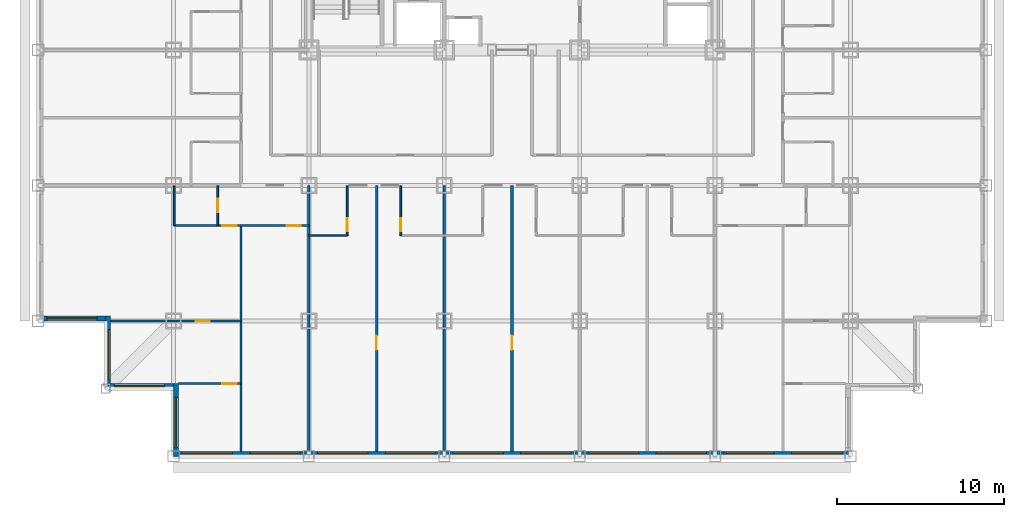
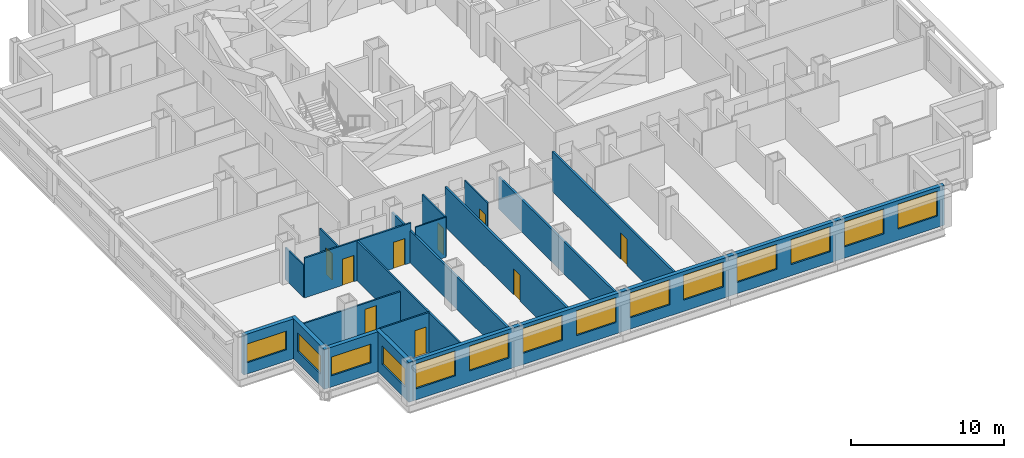
# One storey, part 3 of 11: 18 walls, 14 windows, 9 doors, 23 openings.
"""IFC4 building model written with IfcOpenShell, lengths in metres."""

from ifc_helpers import new_model, si_unit, direction, frame, frame_2d, origin, place, context, subcontext, project, spatial, rectangle, extrude, material, layer, layer_set, type_object, element, fill, save


model = new_model("IFC4")

# Units and contexts
model_context = context("Model", 3, precision=1e-05, world=origin(), true_north=direction((0.0, 1.0)))
body_context = subcontext(model_context, "Body", "Model", "MODEL_VIEW")
ifc_project = project(units=[si_unit("LENGTHUNIT", "METRE"), si_unit("AREAUNIT", "SQUARE_METRE"), si_unit("VOLUMEUNIT", "CUBIC_METRE"), si_unit("PLANEANGLEUNIT", "RADIAN"), si_unit("MASSUNIT", "GRAM", prefix="KILO")], contexts=[model_context])

# Site, building, storey
site_placement = place(None, origin())
site = spatial("IfcSite", under=ifc_project, at=site_placement, CompositionType="ELEMENT")
building_placement = place(site_placement, origin())
building = spatial("IfcBuilding", under=site, at=building_placement, Name="Kopane Lantern Tower", CompositionType="ELEMENT")
storey_placement = place(building_placement, frame((0.0, 0.0, 33.0)))
storey = spatial("IfcBuildingStorey", under=building, at=storey_placement, Name="L06", CompositionType="ELEMENT", Elevation=33.0)

# Wall, openings, doors
ifc_material_1 = material(Name="Gypsum board on steel studs", Category="steel")
ifc_layer_1 = layer(ifc_material_1, 0.1201171875)
ifc_layer_set_1 = layer_set([ifc_layer_1], Name="APARTMENT INTERNAL WALL 120")
wall_type_1 = type_object("IfcWallType", Name="APARTMENT INTERNAL WALL 120", PredefinedType="PARTITIONING", material=ifc_layer_set_1)
wall_1_placement = place(storey_placement, frame((8.14990234375, 13.800048828125, 0.0), z_axis=(0.0, 0.0, 1.0), x_axis=(1.0, 0.0, 0.0)))
wall_1 = element("IfcWall", 1, at=wall_1_placement, inside=storey, type_object=wall_type_1, Name="Apartment Internal Wall 120 L06", PredefinedType="PARTITIONING", context=body_context, shape_type="SweptSolid", body=[
    extrude(rectangle(XDim=8.050048828125, YDim=0.1201171875, at=frame_2d((4.02490234375, 0.0))), origin(), (0.0, 0.0, 1.0), 3.18994140625),
])
opening_1_placement = place(wall_1_placement, frame((6.72509765625, 0.0, 0.0)))
opening_1 = element("IfcOpeningElement", 2, at=opening_1_placement, cuts=wall_1, Name="Opening L06-060", PredefinedType="OPENING", context=body_context, shape_type="SweptSolid", body=[
    extrude(rectangle(XDim=0.85009765625, YDim=2.10009765625, at=frame_2d((0.425048828125, 1.050048828125))), frame((0.0, 0.070068359375, 0.0), z_axis=(0.0, -1.0, 0.0), x_axis=(1.0, 0.0, 0.0)), (0.0, 0.0, 1.0), 0.14013671875),
])
opening_2_placement = place(wall_1_placement, frame((2.875, 0.0, 0.0)))
opening_2 = element("IfcOpeningElement", 3, at=opening_2_placement, cuts=wall_1, Name="Opening L06-062", PredefinedType="OPENING", context=body_context, shape_type="SweptSolid", body=[
    extrude(rectangle(XDim=0.85009765625, YDim=2.10009765625, at=frame_2d((0.425048828125, 1.050048828125))), frame((0.0, 0.070068359375, 0.0), z_axis=(0.0, -1.0, 0.0), x_axis=(1.0, 0.0, 0.0)), (0.0, 0.0, 1.0), 0.14013671875),
])
ifc_material_2 = material(Name="Timber door set", Category="wood")
door_type_1 = type_object("IfcDoorType", Name="DOOR D4 850x2100", OperationType="SINGLE_SWING_LEFT", PredefinedType="DOOR", material=ifc_material_2)
door_1_placement = place(opening_1_placement, origin())
door_1 = element("IfcDoor", 4, at=door_1_placement, inside=storey, type_object=door_type_1, Name="Door L06-060", OperationType="SINGLE_SWING_RIGHT", OverallHeight=2.10009765625, OverallWidth=0.85009765625, PredefinedType="DOOR", context=body_context, shape_type="SweptSolid", body=[
    extrude(rectangle(XDim=0.85009765625, YDim=2.10009765625, at=frame_2d((0.425048828125, 1.050048828125))), frame((0.0, 0.02490234375, 0.0), z_axis=(0.0, -1.0, 0.0), x_axis=(1.0, 0.0, 0.0)), (0.0, 0.0, 1.0), 0.050048828125),
])
fill(opening_1, door_1)
door_2_placement = place(opening_2_placement, origin())
door_2 = element("IfcDoor", 5, at=door_2_placement, inside=storey, type_object=door_type_1, Name="Door L06-062", OperationType="SINGLE_SWING_LEFT", OverallHeight=2.10009765625, OverallWidth=0.85009765625, PredefinedType="DOOR", context=body_context, shape_type="SweptSolid", body=[
    extrude(rectangle(XDim=0.85009765625, YDim=2.10009765625, at=frame_2d((0.425048828125, 1.050048828125))), frame((0.0, 0.02490234375, 0.0), z_axis=(0.0, -1.0, 0.0), x_axis=(1.0, 0.0, 0.0)), (0.0, 0.0, 1.0), 0.050048828125),
])
fill(opening_2, door_2)

# Wall
wall_2_placement = place(storey_placement, frame((12.14990234375, 13.800048828125, 0.0), z_axis=(0.0, 0.0, 1.0), x_axis=(0.0, -1.0, 0.0)))
element("IfcWall", 6, at=wall_2_placement, inside=storey, type_object=wall_type_1, Name="Apartment Internal Wall 120 L06", PredefinedType="PARTITIONING", context=body_context, shape_type="SweptSolid", body=[
    extrude(rectangle(XDim=13.5, YDim=0.1201171875, at=frame_2d((6.75, 0.0))), origin(), (0.0, 0.0, 1.0), 3.18994140625),
])

# Wall, opening, door
wall_3_placement = place(storey_placement, frame((12.14990234375, 8.10009765625, 0.0), z_axis=(0.0, 0.0, 1.0), x_axis=(-1.0, 0.0, 0.0)))
wall_3 = element("IfcWall", 7, at=wall_3_placement, inside=storey, type_object=wall_type_1, Name="Apartment Internal Wall 120 L06", PredefinedType="PARTITIONING", context=body_context, shape_type="SweptSolid", body=[
    extrude(rectangle(XDim=7.7998046875, YDim=0.1201171875, at=frame_2d((3.89990234375, 0.0))), origin(), (0.0, 0.0, 1.0), 2.577880859375),
])
opening_3_placement = place(wall_3_placement, frame((1.875, 0.0, 0.0)))
opening_3 = element("IfcOpeningElement", 8, at=opening_3_placement, cuts=wall_3, Name="Opening L06-063", PredefinedType="OPENING", context=body_context, shape_type="SweptSolid", body=[
    extrude(rectangle(XDim=0.85009765625, YDim=2.10009765625, at=frame_2d((0.425048828125, 1.050048828125))), frame((0.0, 0.070068359375, 0.0), z_axis=(0.0, -1.0, 0.0), x_axis=(1.0, 0.0, 0.0)), (0.0, 0.0, 1.0), 0.14013671875),
])
door_3_placement = place(opening_3_placement, origin())
door_3 = element("IfcDoor", 9, at=door_3_placement, inside=storey, type_object=door_type_1, Name="Door L06-063", OperationType="SINGLE_SWING_LEFT", OverallHeight=2.10009765625, OverallWidth=0.85009765625, PredefinedType="DOOR", context=body_context, shape_type="SweptSolid", body=[
    extrude(rectangle(XDim=0.85009765625, YDim=2.10009765625, at=frame_2d((0.425048828125, 1.050048828125))), frame((0.0, 0.02490234375, 0.0), z_axis=(0.0, -1.0, 0.0), x_axis=(1.0, 0.0, 0.0)), (0.0, 0.0, 1.0), 0.050048828125),
])
fill(opening_3, door_3)

wall_4_placement = place(storey_placement, frame((8.389892578125, 4.35009765625, 0.0), z_axis=(0.0, 0.0, 1.0), x_axis=(1.0, 0.0, 0.0)))
wall_4 = element("IfcWall", 10, at=wall_4_placement, inside=storey, type_object=wall_type_1, Name="Apartment Internal Wall 120 L06", PredefinedType="PARTITIONING", context=body_context, shape_type="SweptSolid", body=[
    extrude(rectangle(XDim=3.760009765625, YDim=0.1201171875, at=frame_2d((1.8798828125, 0.0))), origin(), (0.0, 0.0, 1.0), 3.18994140625),
])
opening_4_placement = place(wall_4_placement, frame((2.635009765625, 0.0, 0.0)))
opening_4 = element("IfcOpeningElement", 11, at=opening_4_placement, cuts=wall_4, Name="Opening L06-075", PredefinedType="OPENING", context=body_context, shape_type="SweptSolid", body=[
    extrude(rectangle(XDim=0.85009765625, YDim=2.10009765625, at=frame_2d((0.425048828125, 1.050048828125))), frame((0.0, 0.070068359375, 0.0), z_axis=(0.0, -1.0, 0.0), x_axis=(1.0, 0.0, 0.0)), (0.0, 0.0, 1.0), 0.14013671875),
])
door_4_placement = place(opening_4_placement, origin())
door_4 = element("IfcDoor", 12, at=door_4_placement, inside=storey, type_object=door_type_1, Name="Door L06-075", OperationType="SINGLE_SWING_RIGHT", OverallHeight=2.10009765625, OverallWidth=0.85009765625, PredefinedType="DOOR", context=body_context, shape_type="SweptSolid", body=[
    extrude(rectangle(XDim=0.85009765625, YDim=2.10009765625, at=frame_2d((0.425048828125, 1.050048828125))), frame((0.0, 0.02490234375, 0.0), z_axis=(0.0, -1.0, 0.0), x_axis=(1.0, 0.0, 0.0)), (0.0, 0.0, 1.0), 0.050048828125),
])
fill(opening_4, door_4)

# Wall
ifc_material_3 = material(Name="Moisture-resistant board on steel studs", Category="steel")
ifc_layer_2 = layer(ifc_material_3, 0.10009765625)
ifc_layer_set_2 = layer_set([ifc_layer_2], Name="BATHROOM WALL 100")
wall_type_2 = type_object("IfcWallType", Name="BATHROOM WALL 100", PredefinedType="PARTITIONING", material=ifc_layer_set_2)
wall_5_placement = place(storey_placement, frame((16.199951171875, 13.199951171875, 0.0), z_axis=(0.0, 0.0, 1.0), x_axis=(1.0, 0.0, 0.0)))
element("IfcWall", 13, at=wall_5_placement, inside=storey, type_object=wall_type_2, Name="Bathroom Wall 100 L06", PredefinedType="PARTITIONING", context=body_context, shape_type="SweptSolid", body=[
    extrude(rectangle(XDim=2.300048828125, YDim=0.10009765625, at=frame_2d((1.14990234375, 0.0))), origin(), (0.0, 0.0, 1.0), 3.18994140625),
])

# Wall, opening, door
wall_6_placement = place(storey_placement, frame((18.5, 16.199951171875, 0.0), z_axis=(0.0, 0.0, 1.0), x_axis=(0.0, -1.0, 0.0)))
wall_6 = element("IfcWall", 14, at=wall_6_placement, inside=storey, type_object=wall_type_2, Name="Bathroom Wall 100 L06", PredefinedType="PARTITIONING", context=body_context, shape_type="SweptSolid", body=[
    extrude(rectangle(XDim=3.0, YDim=0.10009765625, at=frame_2d((1.5, 0.0))), origin(), (0.0, 0.0, 1.0), 3.18994140625),
])
opening_5_placement = place(wall_6_placement, frame((1.949951171875, 0.0, 0.0)))
opening_5 = element("IfcOpeningElement", 15, at=opening_5_placement, cuts=wall_6, Name="Opening L06-009", PredefinedType="OPENING", context=body_context, shape_type="SweptSolid", body=[
    extrude(rectangle(XDim=0.800048828125, YDim=2.10009765625, at=frame_2d((0.39990234375, 1.050048828125))), frame((0.0, 0.06005859375, 0.0), z_axis=(0.0, -1.0, 0.0), x_axis=(1.0, 0.0, 0.0)), (0.0, 0.0, 1.0), 0.1201171875),
])
ifc_material_4 = material(Name="Timber door set", Category="wood")
door_type_2 = type_object("IfcDoorType", Name="DOOR D2 800x2100", OperationType="SINGLE_SWING_LEFT", PredefinedType="DOOR", material=ifc_material_4)
door_5_placement = place(opening_5_placement, origin())
door_5 = element("IfcDoor", 16, at=door_5_placement, inside=storey, type_object=door_type_2, Name="Door L06-009", OperationType="SINGLE_SWING_LEFT", OverallHeight=2.10009765625, OverallWidth=0.800048828125, PredefinedType="DOOR", context=body_context, shape_type="SweptSolid", body=[
    extrude(rectangle(XDim=0.800048828125, YDim=2.10009765625, at=frame_2d((0.39990234375, 1.050048828125))), frame((0.0, 0.02490234375, 0.0), z_axis=(0.0, -1.0, 0.0), x_axis=(1.0, 0.0, 0.0)), (0.0, 0.0, 1.0), 0.050048828125),
])
fill(opening_5, door_5)

wall_7_placement = place(storey_placement, frame((21.699951171875, 16.199951171875, 0.0), z_axis=(0.0, 0.0, 1.0), x_axis=(0.0, -1.0, 0.0)))
wall_7 = element("IfcWall", 17, at=wall_7_placement, inside=storey, type_object=wall_type_2, Name="Bathroom Wall 100 L06", PredefinedType="PARTITIONING", context=body_context, shape_type="SweptSolid", body=[
    extrude(rectangle(XDim=3.0, YDim=0.10009765625, at=frame_2d((1.5, 0.0))), origin(), (0.0, 0.0, 1.0), 3.18994140625),
])
opening_6_placement = place(wall_7_placement, frame((1.949951171875, 0.0, 0.0)))
opening_6 = element("IfcOpeningElement", 18, at=opening_6_placement, cuts=wall_7, Name="Opening L06-011", PredefinedType="OPENING", context=body_context, shape_type="SweptSolid", body=[
    extrude(rectangle(XDim=0.800048828125, YDim=2.10009765625, at=frame_2d((0.39990234375, 1.050048828125))), frame((0.0, 0.06005859375, 0.0), z_axis=(0.0, -1.0, 0.0), x_axis=(1.0, 0.0, 0.0)), (0.0, 0.0, 1.0), 0.1201171875),
])
door_6_placement = place(opening_6_placement, origin())
door_6 = element("IfcDoor", 19, at=door_6_placement, inside=storey, type_object=door_type_2, Name="Door L06-011", OperationType="SINGLE_SWING_RIGHT", OverallHeight=2.10009765625, OverallWidth=0.800048828125, PredefinedType="DOOR", context=body_context, shape_type="SweptSolid", body=[
    extrude(rectangle(XDim=0.800048828125, YDim=2.10009765625, at=frame_2d((0.39990234375, 1.050048828125))), frame((0.0, 0.02490234375, 0.0), z_axis=(0.0, -1.0, 0.0), x_axis=(1.0, 0.0, 0.0)), (0.0, 0.0, 1.0), 0.050048828125),
])
fill(opening_6, door_6)

wall_8_placement = place(storey_placement, frame((10.75, 16.199951171875, 0.0), z_axis=(0.0, 0.0, 1.0), x_axis=(0.0, -1.0, 0.0)))
wall_8 = element("IfcWall", 20, at=wall_8_placement, inside=storey, type_object=wall_type_2, Name="Bathroom Wall 100 L06", PredefinedType="PARTITIONING", context=body_context, shape_type="SweptSolid", body=[
    extrude(rectangle(XDim=2.39990234375, YDim=0.10009765625, at=frame_2d((1.199951171875, 0.0))), origin(), (0.0, 0.0, 1.0), 3.18994140625),
])
opening_7_placement = place(wall_8_placement, frame((0.800048828125, 0.0, 0.0)))
opening_7 = element("IfcOpeningElement", 21, at=opening_7_placement, cuts=wall_8, Name="Opening L06-061", PredefinedType="OPENING", context=body_context, shape_type="SweptSolid", body=[
    extrude(rectangle(XDim=0.800048828125, YDim=2.10009765625, at=frame_2d((0.39990234375, 1.050048828125))), frame((0.0, 0.06005859375, 0.0), z_axis=(0.0, -1.0, 0.0), x_axis=(1.0, 0.0, 0.0)), (0.0, 0.0, 1.0), 0.1201171875),
])
door_7_placement = place(opening_7_placement, origin())
door_7 = element("IfcDoor", 22, at=door_7_placement, inside=storey, type_object=door_type_2, Name="Door L06-061", OperationType="SINGLE_SWING_RIGHT", OverallHeight=2.10009765625, OverallWidth=0.800048828125, PredefinedType="DOOR", context=body_context, shape_type="SweptSolid", body=[
    extrude(rectangle(XDim=0.800048828125, YDim=2.10009765625, at=frame_2d((0.39990234375, 1.050048828125))), frame((0.0, 0.02490234375, 0.0), z_axis=(0.0, -1.0, 0.0), x_axis=(1.0, 0.0, 0.0)), (0.0, 0.0, 1.0), 0.050048828125),
])
fill(opening_7, door_7)

# Wall
wall_9_placement = place(storey_placement, frame((8.14990234375, 16.199951171875, 0.0), z_axis=(0.0, 0.0, 1.0), x_axis=(0.0, -1.0, 0.0)))
element("IfcWall", 23, at=wall_9_placement, inside=storey, type_object=wall_type_2, Name="Bathroom Wall 100 L06", PredefinedType="PARTITIONING", context=body_context, shape_type="SweptSolid", body=[
    extrude(rectangle(XDim=2.39990234375, YDim=0.10009765625, at=frame_2d((1.199951171875, 0.0))), origin(), (0.0, 0.0, 1.0), 2.577880859375),
])

# Wall, opening, door
ifc_material_5 = material(Name="Gypsum board on steel studs", Category="steel")
ifc_layer_3 = layer(ifc_material_5, 0.14990234375)
ifc_layer_set_3 = layer_set([ifc_layer_3], Name="DEMISING WALL 150 EI 60")
wall_type_3 = type_object("IfcWallType", Name="DEMISING WALL 150 EI 60", PredefinedType="PARTITIONING", material=ifc_layer_set_3)
wall_10_placement = place(storey_placement, frame((20.25, 16.199951171875, 0.0), z_axis=(0.0, 0.0, 1.0), x_axis=(0.0, -1.0, 0.0)))
wall_10 = element("IfcWall", 24, at=wall_10_placement, inside=storey, type_object=wall_type_3, Name="Demising Wall 150 Ei 60 L06", PredefinedType="PARTITIONING", context=body_context, shape_type="SweptSolid", body=[
    extrude(rectangle(XDim=15.89990234375, YDim=0.14990234375, at=frame_2d((7.949951171875, 0.0))), origin(), (0.0, 0.0, 1.0), 3.18994140625),
])
opening_8_placement = place(wall_10_placement, frame((8.97509765625, 0.0, 0.0)))
opening_8 = element("IfcOpeningElement", 25, at=opening_8_placement, cuts=wall_10, Name="Opening L06-013", PredefinedType="OPENING", context=body_context, shape_type="SweptSolid", body=[
    extrude(rectangle(XDim=0.85009765625, YDim=2.10009765625, at=frame_2d((0.425048828125, 1.050048828125))), frame((0.0, 0.0849609375, 0.0), z_axis=(0.0, -1.0, 0.0), x_axis=(1.0, 0.0, 0.0)), (0.0, 0.0, 1.0), 0.169921875),
])
ifc_material_6 = material(Name="Steel door set", Category="steel")
door_type_3 = type_object("IfcDoorType", Name="DOOR D11 850x2100 FD30S CONNECTING", OperationType="SINGLE_SWING_LEFT", PredefinedType="DOOR", material=ifc_material_6)
door_8_placement = place(opening_8_placement, origin())
door_8 = element("IfcDoor", 26, at=door_8_placement, inside=storey, type_object=door_type_3, Name="Door L06-013", OperationType="SINGLE_SWING_LEFT", OverallHeight=2.10009765625, OverallWidth=0.85009765625, PredefinedType="DOOR", context=body_context, shape_type="SweptSolid", body=[
    extrude(rectangle(XDim=0.85009765625, YDim=2.10009765625, at=frame_2d((0.425048828125, 1.050048828125))), frame((0.0, 0.02490234375, 0.0), z_axis=(0.0, -1.0, 0.0), x_axis=(1.0, 0.0, 0.0)), (0.0, 0.0, 1.0), 0.050048828125),
])
fill(opening_8, door_8)

# Wall
wall_11_placement = place(storey_placement, frame((24.300048828125, 16.199951171875, 0.0), z_axis=(0.0, 0.0, 1.0), x_axis=(0.0, -1.0, 0.0)))
element("IfcWall", 27, at=wall_11_placement, inside=storey, type_object=wall_type_3, Name="Demising Wall 150 Ei 60 L06", PredefinedType="PARTITIONING", context=body_context, shape_type="SweptSolid", body=[
    extrude(rectangle(XDim=15.89990234375, YDim=0.14990234375, at=frame_2d((7.949951171875, 0.0))), origin(), (0.0, 0.0, 1.0), 2.577880859375),
])

# Wall, opening, door
wall_12_placement = place(storey_placement, frame((28.35009765625, 16.199951171875, 0.0), z_axis=(0.0, 0.0, 1.0), x_axis=(0.0, -1.0, 0.0)))
wall_12 = element("IfcWall", 28, at=wall_12_placement, inside=storey, type_object=wall_type_3, Name="Demising Wall 150 Ei 60 L06", PredefinedType="PARTITIONING", context=body_context, shape_type="SweptSolid", body=[
    extrude(rectangle(XDim=15.89990234375, YDim=0.14990234375, at=frame_2d((7.949951171875, 0.0))), origin(), (0.0, 0.0, 1.0), 3.18994140625),
])
opening_9_placement = place(wall_12_placement, frame((8.97509765625, 0.0, 0.0)))
opening_9 = element("IfcOpeningElement", 29, at=opening_9_placement, cuts=wall_12, Name="Opening L06-018", PredefinedType="OPENING", context=body_context, shape_type="SweptSolid", body=[
    extrude(rectangle(XDim=0.85009765625, YDim=2.10009765625, at=frame_2d((0.425048828125, 1.050048828125))), frame((0.0, 0.0849609375, 0.0), z_axis=(0.0, -1.0, 0.0), x_axis=(1.0, 0.0, 0.0)), (0.0, 0.0, 1.0), 0.169921875),
])
door_9_placement = place(opening_9_placement, origin())
door_9 = element("IfcDoor", 30, at=door_9_placement, inside=storey, type_object=door_type_3, Name="Door L06-018", OperationType="SINGLE_SWING_LEFT", OverallHeight=2.10009765625, OverallWidth=0.85009765625, PredefinedType="DOOR", context=body_context, shape_type="SweptSolid", body=[
    extrude(rectangle(XDim=0.85009765625, YDim=2.10009765625, at=frame_2d((0.425048828125, 1.050048828125))), frame((0.0, 0.02490234375, 0.0), z_axis=(0.0, -1.0, 0.0), x_axis=(1.0, 0.0, 0.0)), (0.0, 0.0, 1.0), 0.050048828125),
])
fill(opening_9, door_9)

# Wall
wall_13_placement = place(storey_placement, frame((16.199951171875, 16.199951171875, 0.0), z_axis=(0.0, 0.0, 1.0), x_axis=(0.0, -1.0, 0.0)))
element("IfcWall", 31, at=wall_13_placement, inside=storey, type_object=wall_type_3, Name="Demising Wall 150 Ei 60 L06", PredefinedType="PARTITIONING", context=body_context, shape_type="SweptSolid", body=[
    extrude(rectangle(XDim=15.89990234375, YDim=0.14990234375, at=frame_2d((7.949951171875, 0.0))), origin(), (0.0, 0.0, 1.0), 2.577880859375),
])

# Wall, openings, windows
ifc_material_7 = material(Name="Terracotta rainscreen on light steel framing", Category="masonry")
ifc_layer_4 = layer(ifc_material_7, 0.300048828125)
ifc_layer_set_4 = layer_set([ifc_layer_4], Name="EXTERNAL WALL EW1 300 TERRACOTTA")
wall_type_4 = type_object("IfcWallType", Name="EXTERNAL WALL EW1 300 TERRACOTTA", PredefinedType="SOLIDWALL", material=ifc_layer_set_4)
wall_14_placement = place(storey_placement, frame((8.39990234375, 0.14990234375, 0.0), z_axis=(0.0, 0.0, 1.0), x_axis=(1.0, 0.0, 0.0)))
wall_14 = element("IfcWall", 32, at=wall_14_placement, inside=storey, type_object=wall_type_4, Name="External wall S L06", PredefinedType="SOLIDWALL", context=body_context, shape_type="SweptSolid", body=[
    extrude(rectangle(XDim=40.2001953125, YDim=0.300048828125, at=frame_2d((20.10009765625, 0.0))), origin(), (0.0, 0.0, 1.0), 3.18994140625),
])
opening_10_placement = place(wall_14_placement, frame((0.22509765625, 0.0, 0.89990234375)))
opening_10 = element("IfcOpeningElement", 33, at=opening_10_placement, cuts=wall_14, Name="Opening WR300200", PredefinedType="OPENING", context=body_context, shape_type="SweptSolid", body=[
    extrude(rectangle(XDim=3.0, YDim=2.0, at=frame_2d((1.5, 1.0))), frame((0.0, 0.159912109375, 0.0), z_axis=(0.0, -1.0, 0.0), x_axis=(1.0, 0.0, 0.0)), (0.0, 0.0, 1.0), 0.320068359375),
])
opening_11_placement = place(wall_14_placement, frame((4.27490234375, 0.0, 0.89990234375)))
opening_11 = element("IfcOpeningElement", 34, at=opening_11_placement, cuts=wall_14, Name="Opening WR300200", PredefinedType="OPENING", context=body_context, shape_type="SweptSolid", body=[
    extrude(rectangle(XDim=3.0, YDim=2.0, at=frame_2d((1.5, 1.0))), frame((0.0, 0.159912109375, 0.0), z_axis=(0.0, -1.0, 0.0), x_axis=(1.0, 0.0, 0.0)), (0.0, 0.0, 1.0), 0.320068359375),
])
opening_12_placement = place(wall_14_placement, frame((8.324951171875, 0.0, 0.89990234375)))
opening_12 = element("IfcOpeningElement", 35, at=opening_12_placement, cuts=wall_14, Name="Opening WR300200", PredefinedType="OPENING", context=body_context, shape_type="SweptSolid", body=[
    extrude(rectangle(XDim=3.0, YDim=2.0, at=frame_2d((1.5, 1.0))), frame((0.0, 0.159912109375, 0.0), z_axis=(0.0, -1.0, 0.0), x_axis=(1.0, 0.0, 0.0)), (0.0, 0.0, 1.0), 0.320068359375),
])
opening_13_placement = place(wall_14_placement, frame((12.375, 0.0, 0.89990234375)))
opening_13 = element("IfcOpeningElement", 36, at=opening_13_placement, cuts=wall_14, Name="Opening WR300200", PredefinedType="OPENING", context=body_context, shape_type="SweptSolid", body=[
    extrude(rectangle(XDim=3.0, YDim=2.0, at=frame_2d((1.5, 1.0))), frame((0.0, 0.159912109375, 0.0), z_axis=(0.0, -1.0, 0.0), x_axis=(1.0, 0.0, 0.0)), (0.0, 0.0, 1.0), 0.320068359375),
])
opening_14_placement = place(wall_14_placement, frame((16.425048828125, 0.0, 0.89990234375)))
opening_14 = element("IfcOpeningElement", 37, at=opening_14_placement, cuts=wall_14, Name="Opening WR300200", PredefinedType="OPENING", context=body_context, shape_type="SweptSolid", body=[
    extrude(rectangle(XDim=3.0, YDim=2.0, at=frame_2d((1.5, 1.0))), frame((0.0, 0.159912109375, 0.0), z_axis=(0.0, -1.0, 0.0), x_axis=(1.0, 0.0, 0.0)), (0.0, 0.0, 1.0), 0.320068359375),
])
opening_15_placement = place(wall_14_placement, frame((20.47509765625, 0.0, 0.89990234375)))
opening_15 = element("IfcOpeningElement", 38, at=opening_15_placement, cuts=wall_14, Name="Opening WR300200", PredefinedType="OPENING", context=body_context, shape_type="SweptSolid", body=[
    extrude(rectangle(XDim=3.0, YDim=2.0, at=frame_2d((1.5, 1.0))), frame((0.0, 0.159912109375, 0.0), z_axis=(0.0, -1.0, 0.0), x_axis=(1.0, 0.0, 0.0)), (0.0, 0.0, 1.0), 0.320068359375),
])
opening_16_placement = place(wall_14_placement, frame((24.52490234375, 0.0, 0.89990234375)))
opening_16 = element("IfcOpeningElement", 39, at=opening_16_placement, cuts=wall_14, Name="Opening WR300200", PredefinedType="OPENING", context=body_context, shape_type="SweptSolid", body=[
    extrude(rectangle(XDim=3.0, YDim=2.0, at=frame_2d((1.5, 1.0))), frame((0.0, 0.159912109375, 0.0), z_axis=(0.0, -1.0, 0.0), x_axis=(1.0, 0.0, 0.0)), (0.0, 0.0, 1.0), 0.320068359375),
])
opening_17_placement = place(wall_14_placement, frame((28.574951171875, 0.0, 0.89990234375)))
opening_17 = element("IfcOpeningElement", 40, at=opening_17_placement, cuts=wall_14, Name="Opening WR300200", PredefinedType="OPENING", context=body_context, shape_type="SweptSolid", body=[
    extrude(rectangle(XDim=3.0, YDim=2.0, at=frame_2d((1.5, 1.0))), frame((0.0, 0.159912109375, 0.0), z_axis=(0.0, -1.0, 0.0), x_axis=(1.0, 0.0, 0.0)), (0.0, 0.0, 1.0), 0.320068359375),
])
opening_18_placement = place(wall_14_placement, frame((32.625, 0.0, 0.89990234375)))
opening_18 = element("IfcOpeningElement", 41, at=opening_18_placement, cuts=wall_14, Name="Opening WR300200", PredefinedType="OPENING", context=body_context, shape_type="SweptSolid", body=[
    extrude(rectangle(XDim=3.0, YDim=2.0, at=frame_2d((1.5, 1.0))), frame((0.0, 0.159912109375, 0.0), z_axis=(0.0, -1.0, 0.0), x_axis=(1.0, 0.0, 0.0)), (0.0, 0.0, 1.0), 0.320068359375),
])
opening_19_placement = place(wall_14_placement, frame((36.675048828125, 0.0, 0.89990234375)))
opening_19 = element("IfcOpeningElement", 42, at=opening_19_placement, cuts=wall_14, Name="Opening WR300200", PredefinedType="OPENING", context=body_context, shape_type="SweptSolid", body=[
    extrude(rectangle(XDim=3.0, YDim=2.0, at=frame_2d((1.5, 1.0))), frame((0.0, 0.159912109375, 0.0), z_axis=(0.0, -1.0, 0.0), x_axis=(1.0, 0.0, 0.0)), (0.0, 0.0, 1.0), 0.320068359375),
])
ifc_material_8 = material(Name="Aluminium and clear glass", Category="aluminium")
window_type_1 = type_object("IfcWindowType", Name="RIBBON WINDOW WR300200 3000x2000", PartitioningType="SINGLE_PANEL", PredefinedType="WINDOW", material=ifc_material_8)
window_1_placement = place(opening_10_placement, origin())
window_1 = element("IfcWindow", 43, at=window_1_placement, inside=storey, type_object=window_type_1, Name="Window S L06", OverallHeight=2.0, OverallWidth=3.0, PartitioningType="SINGLE_PANEL", PredefinedType="WINDOW", context=body_context, shape_type="SweptSolid", body=[
    extrude(rectangle(XDim=3.0, YDim=2.0, at=frame_2d((1.5, 1.0))), frame((0.0, 0.030029296875, 0.0), z_axis=(0.0, -1.0, 0.0), x_axis=(1.0, 0.0, 0.0)), (0.0, 0.0, 1.0), 0.06005859375),
])
fill(opening_10, window_1)
window_2_placement = place(opening_11_placement, origin())
window_2 = element("IfcWindow", 44, at=window_2_placement, inside=storey, type_object=window_type_1, Name="Window S L06", OverallHeight=2.0, OverallWidth=3.0, PartitioningType="SINGLE_PANEL", PredefinedType="WINDOW", context=body_context, shape_type="SweptSolid", body=[
    extrude(rectangle(XDim=3.0, YDim=2.0, at=frame_2d((1.5, 1.0))), frame((0.0, 0.030029296875, 0.0), z_axis=(0.0, -1.0, 0.0), x_axis=(1.0, 0.0, 0.0)), (0.0, 0.0, 1.0), 0.06005859375),
])
fill(opening_11, window_2)
window_3_placement = place(opening_12_placement, origin())
window_3 = element("IfcWindow", 45, at=window_3_placement, inside=storey, type_object=window_type_1, Name="Window S L06", OverallHeight=2.0, OverallWidth=3.0, PartitioningType="SINGLE_PANEL", PredefinedType="WINDOW", context=body_context, shape_type="SweptSolid", body=[
    extrude(rectangle(XDim=3.0, YDim=2.0, at=frame_2d((1.5, 1.0))), frame((0.0, 0.030029296875, 0.0), z_axis=(0.0, -1.0, 0.0), x_axis=(1.0, 0.0, 0.0)), (0.0, 0.0, 1.0), 0.06005859375),
])
fill(opening_12, window_3)
window_4_placement = place(opening_13_placement, origin())
window_4 = element("IfcWindow", 46, at=window_4_placement, inside=storey, type_object=window_type_1, Name="Window S L06", OverallHeight=2.0, OverallWidth=3.0, PartitioningType="SINGLE_PANEL", PredefinedType="WINDOW", context=body_context, shape_type="SweptSolid", body=[
    extrude(rectangle(XDim=3.0, YDim=2.0, at=frame_2d((1.5, 1.0))), frame((0.0, 0.030029296875, 0.0), z_axis=(0.0, -1.0, 0.0), x_axis=(1.0, 0.0, 0.0)), (0.0, 0.0, 1.0), 0.06005859375),
])
fill(opening_13, window_4)
window_5_placement = place(opening_14_placement, origin())
window_5 = element("IfcWindow", 47, at=window_5_placement, inside=storey, type_object=window_type_1, Name="Window S L06", OverallHeight=2.0, OverallWidth=3.0, PartitioningType="SINGLE_PANEL", PredefinedType="WINDOW", context=body_context, shape_type="SweptSolid", body=[
    extrude(rectangle(XDim=3.0, YDim=2.0, at=frame_2d((1.5, 1.0))), frame((0.0, 0.030029296875, 0.0), z_axis=(0.0, -1.0, 0.0), x_axis=(1.0, 0.0, 0.0)), (0.0, 0.0, 1.0), 0.06005859375),
])
fill(opening_14, window_5)
window_6_placement = place(opening_15_placement, origin())
window_6 = element("IfcWindow", 48, at=window_6_placement, inside=storey, type_object=window_type_1, Name="Window S L06", OverallHeight=2.0, OverallWidth=3.0, PartitioningType="SINGLE_PANEL", PredefinedType="WINDOW", context=body_context, shape_type="SweptSolid", body=[
    extrude(rectangle(XDim=3.0, YDim=2.0, at=frame_2d((1.5, 1.0))), frame((0.0, 0.030029296875, 0.0), z_axis=(0.0, -1.0, 0.0), x_axis=(1.0, 0.0, 0.0)), (0.0, 0.0, 1.0), 0.06005859375),
])
fill(opening_15, window_6)
window_7_placement = place(opening_16_placement, origin())
window_7 = element("IfcWindow", 49, at=window_7_placement, inside=storey, type_object=window_type_1, Name="Window S L06", OverallHeight=2.0, OverallWidth=3.0, PartitioningType="SINGLE_PANEL", PredefinedType="WINDOW", context=body_context, shape_type="SweptSolid", body=[
    extrude(rectangle(XDim=3.0, YDim=2.0, at=frame_2d((1.5, 1.0))), frame((0.0, 0.030029296875, 0.0), z_axis=(0.0, -1.0, 0.0), x_axis=(1.0, 0.0, 0.0)), (0.0, 0.0, 1.0), 0.06005859375),
])
fill(opening_16, window_7)
window_8_placement = place(opening_17_placement, origin())
window_8 = element("IfcWindow", 50, at=window_8_placement, inside=storey, type_object=window_type_1, Name="Window S L06", OverallHeight=2.0, OverallWidth=3.0, PartitioningType="SINGLE_PANEL", PredefinedType="WINDOW", context=body_context, shape_type="SweptSolid", body=[
    extrude(rectangle(XDim=3.0, YDim=2.0, at=frame_2d((1.5, 1.0))), frame((0.0, 0.030029296875, 0.0), z_axis=(0.0, -1.0, 0.0), x_axis=(1.0, 0.0, 0.0)), (0.0, 0.0, 1.0), 0.06005859375),
])
fill(opening_17, window_8)
window_9_placement = place(opening_18_placement, origin())
window_9 = element("IfcWindow", 51, at=window_9_placement, inside=storey, type_object=window_type_1, Name="Window S L06", OverallHeight=2.0, OverallWidth=3.0, PartitioningType="SINGLE_PANEL", PredefinedType="WINDOW", context=body_context, shape_type="SweptSolid", body=[
    extrude(rectangle(XDim=3.0, YDim=2.0, at=frame_2d((1.5, 1.0))), frame((0.0, 0.030029296875, 0.0), z_axis=(0.0, -1.0, 0.0), x_axis=(1.0, 0.0, 0.0)), (0.0, 0.0, 1.0), 0.06005859375),
])
fill(opening_18, window_9)
window_10_placement = place(opening_19_placement, origin())
window_10 = element("IfcWindow", 52, at=window_10_placement, inside=storey, type_object=window_type_1, Name="Window S L06", OverallHeight=2.0, OverallWidth=3.0, PartitioningType="SINGLE_PANEL", PredefinedType="WINDOW", context=body_context, shape_type="SweptSolid", body=[
    extrude(rectangle(XDim=3.0, YDim=2.0, at=frame_2d((1.5, 1.0))), frame((0.0, 0.030029296875, 0.0), z_axis=(0.0, -1.0, 0.0), x_axis=(1.0, 0.0, 0.0)), (0.0, 0.0, 1.0), 0.06005859375),
])
fill(opening_19, window_10)

# Wall, opening, window
wall_15_placement = place(storey_placement, frame((0.300048828125, 8.25, 0.0), z_axis=(0.0, 0.0, 1.0), x_axis=(1.0, 0.0, 0.0)))
wall_15 = element("IfcWall", 53, at=wall_15_placement, inside=storey, type_object=wall_type_4, Name="External wall S L06", PredefinedType="SOLIDWALL", context=body_context, shape_type="SweptSolid", body=[
    extrude(rectangle(XDim=3.75, YDim=0.300048828125, at=frame_2d((1.875, 0.0))), origin(), (0.0, 0.0, 1.0), 3.18994140625),
])
opening_20_placement = place(wall_15_placement, frame((0.22509765625, 0.0, 0.89990234375)))
opening_20 = element("IfcOpeningElement", 54, at=opening_20_placement, cuts=wall_15, Name="Opening WR300150", PredefinedType="OPENING", context=body_context, shape_type="SweptSolid", body=[
    extrude(rectangle(XDim=3.0, YDim=1.5, at=frame_2d((1.5, 0.75))), frame((0.0, 0.159912109375, 0.0), z_axis=(0.0, -1.0, 0.0), x_axis=(1.0, 0.0, 0.0)), (0.0, 0.0, 1.0), 0.320068359375),
])
ifc_material_9 = material(Name="Aluminium and clear glass", Category="aluminium")
window_type_2 = type_object("IfcWindowType", Name="RIBBON WINDOW WR300150 3000x1500", PartitioningType="SINGLE_PANEL", PredefinedType="WINDOW", material=ifc_material_9)
window_11_placement = place(opening_20_placement, origin())
window_11 = element("IfcWindow", 55, at=window_11_placement, inside=storey, type_object=window_type_2, Name="Window S L06", OverallHeight=1.5, OverallWidth=3.0, PartitioningType="SINGLE_PANEL", PredefinedType="WINDOW", context=body_context, shape_type="SweptSolid", body=[
    extrude(rectangle(XDim=3.0, YDim=1.5, at=frame_2d((1.5, 0.75))), frame((0.0, 0.030029296875, 0.0), z_axis=(0.0, -1.0, 0.0), x_axis=(1.0, 0.0, 0.0)), (0.0, 0.0, 1.0), 0.06005859375),
])
fill(opening_20, window_11)

wall_16_placement = place(storey_placement, frame((4.199951171875, 8.39990234375, 0.0), z_axis=(0.0, 0.0, 1.0), x_axis=(0.0, -1.0, 0.0)))
wall_16 = element("IfcWall", 56, at=wall_16_placement, inside=storey, type_object=wall_type_4, Name="External wall W L06", PredefinedType="SOLIDWALL", context=body_context, shape_type="SweptSolid", body=[
    extrude(rectangle(XDim=4.349853515625, YDim=0.300048828125, at=frame_2d((2.1748046875, 0.0))), origin(), (0.0, 0.0, 1.0), 3.18994140625),
])
opening_21_placement = place(wall_16_placement, frame((0.824951171875, 0.0, 0.89990234375)))
opening_21 = element("IfcOpeningElement", 57, at=opening_21_placement, cuts=wall_16, Name="Opening WR300150", PredefinedType="OPENING", context=body_context, shape_type="SweptSolid", body=[
    extrude(rectangle(XDim=3.0, YDim=1.5, at=frame_2d((1.5, 0.75))), frame((0.0, 0.159912109375, 0.0), z_axis=(0.0, -1.0, 0.0), x_axis=(1.0, 0.0, 0.0)), (0.0, 0.0, 1.0), 0.320068359375),
])
window_12_placement = place(opening_21_placement, origin())
window_12 = element("IfcWindow", 58, at=window_12_placement, inside=storey, type_object=window_type_2, Name="Window W L06", OverallHeight=1.5, OverallWidth=3.0, PartitioningType="SINGLE_PANEL", PredefinedType="WINDOW", context=body_context, shape_type="SweptSolid", body=[
    extrude(rectangle(XDim=3.0, YDim=1.5, at=frame_2d((1.5, 0.75))), frame((0.0, 0.030029296875, 0.0), z_axis=(0.0, -1.0, 0.0), x_axis=(1.0, 0.0, 0.0)), (0.0, 0.0, 1.0), 0.06005859375),
])
fill(opening_21, window_12)

wall_17_placement = place(storey_placement, frame((4.35009765625, 4.199951171875, 0.0), z_axis=(0.0, 0.0, 1.0), x_axis=(1.0, 0.0, 0.0)))
wall_17 = element("IfcWall", 59, at=wall_17_placement, inside=storey, type_object=wall_type_4, Name="External wall S L06", PredefinedType="SOLIDWALL", context=body_context, shape_type="SweptSolid", body=[
    extrude(rectangle(XDim=3.75, YDim=0.300048828125, at=frame_2d((1.875, 0.0))), origin(), (0.0, 0.0, 1.0), 3.18994140625),
])
opening_22_placement = place(wall_17_placement, frame((0.22509765625, 0.0, 0.89990234375)))
opening_22 = element("IfcOpeningElement", 60, at=opening_22_placement, cuts=wall_17, Name="Opening WR300150", PredefinedType="OPENING", context=body_context, shape_type="SweptSolid", body=[
    extrude(rectangle(XDim=3.0, YDim=1.5, at=frame_2d((1.5, 0.75))), frame((0.0, 0.159912109375, 0.0), z_axis=(0.0, -1.0, 0.0), x_axis=(1.0, 0.0, 0.0)), (0.0, 0.0, 1.0), 0.320068359375),
])
window_13_placement = place(opening_22_placement, origin())
window_13 = element("IfcWindow", 61, at=window_13_placement, inside=storey, type_object=window_type_2, Name="Window S L06", OverallHeight=1.5, OverallWidth=3.0, PartitioningType="SINGLE_PANEL", PredefinedType="WINDOW", context=body_context, shape_type="SweptSolid", body=[
    extrude(rectangle(XDim=3.0, YDim=1.5, at=frame_2d((1.5, 0.75))), frame((0.0, 0.030029296875, 0.0), z_axis=(0.0, -1.0, 0.0), x_axis=(1.0, 0.0, 0.0)), (0.0, 0.0, 1.0), 0.06005859375),
])
fill(opening_22, window_13)

wall_18_placement = place(storey_placement, frame((8.25, 4.35009765625, 0.0), z_axis=(0.0, 0.0, 1.0), x_axis=(0.0, -1.0, 0.0)))
wall_18 = element("IfcWall", 62, at=wall_18_placement, inside=storey, type_object=wall_type_4, Name="External wall W L06", PredefinedType="SOLIDWALL", context=body_context, shape_type="SweptSolid", body=[
    extrude(rectangle(XDim=4.35009765625, YDim=0.300048828125, at=frame_2d((2.175048828125, 0.0))), origin(), (0.0, 0.0, 1.0), 3.18994140625),
])
opening_23_placement = place(wall_18_placement, frame((0.824951171875, 0.0, 0.89990234375)))
opening_23 = element("IfcOpeningElement", 63, at=opening_23_placement, cuts=wall_18, Name="Opening WR300150", PredefinedType="OPENING", context=body_context, shape_type="SweptSolid", body=[
    extrude(rectangle(XDim=3.0, YDim=1.5, at=frame_2d((1.5, 0.75))), frame((0.0, 0.159912109375, 0.0), z_axis=(0.0, -1.0, 0.0), x_axis=(1.0, 0.0, 0.0)), (0.0, 0.0, 1.0), 0.320068359375),
])
window_14_placement = place(opening_23_placement, origin())
window_14 = element("IfcWindow", 64, at=window_14_placement, inside=storey, type_object=window_type_2, Name="Window W L06", OverallHeight=1.5, OverallWidth=3.0, PartitioningType="SINGLE_PANEL", PredefinedType="WINDOW", context=body_context, shape_type="SweptSolid", body=[
    extrude(rectangle(XDim=3.0, YDim=1.5, at=frame_2d((1.5, 0.75))), frame((0.0, 0.030029296875, 0.0), z_axis=(0.0, -1.0, 0.0), x_axis=(1.0, 0.0, 0.0)), (0.0, 0.0, 1.0), 0.06005859375),
])
fill(opening_23, window_14)

save(model, "model.ifc")
